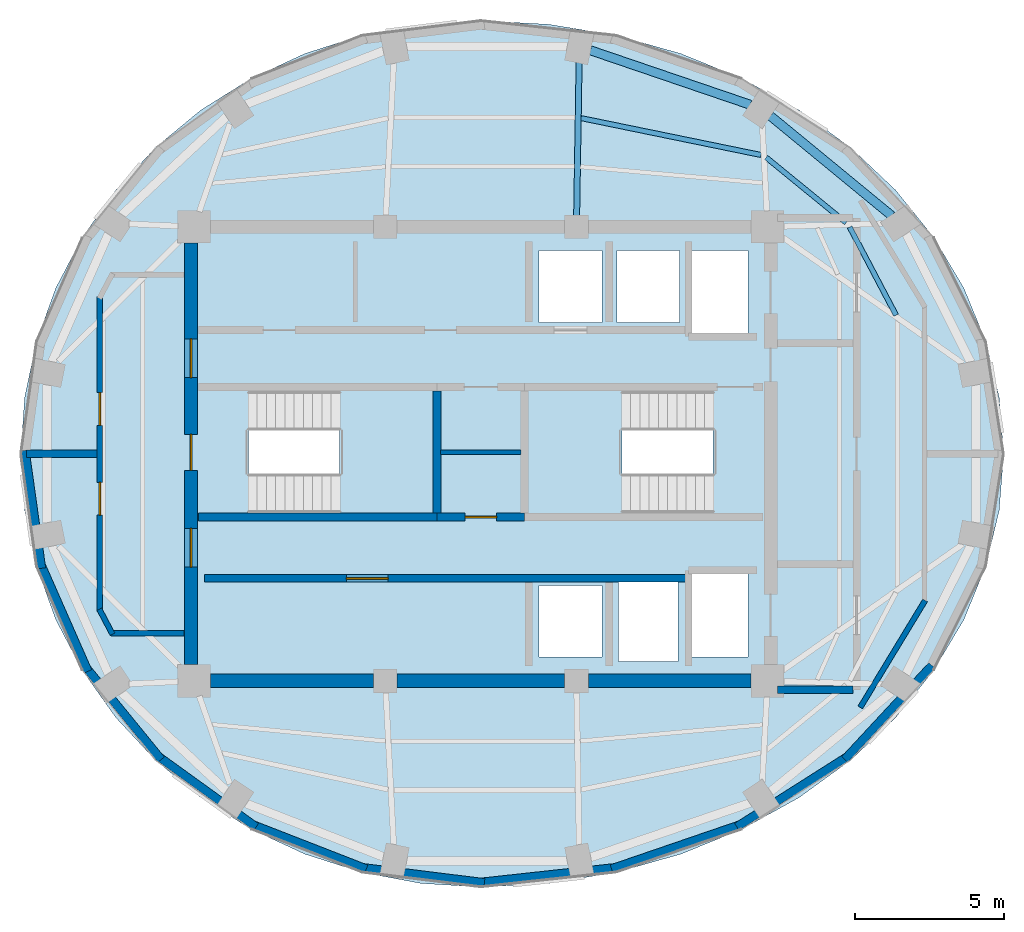
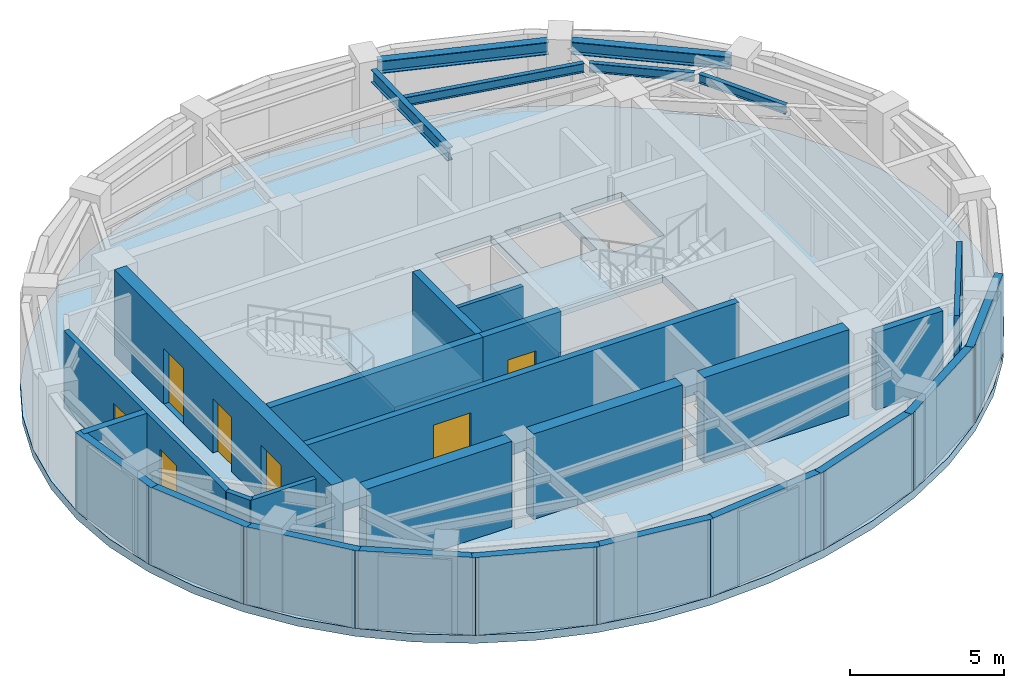
# One storey, part 2 of 5: 25 walls, 7 doors, 6 beams, 3 slabs, 7 openings, 2 elements without a shape of their own.
"""IFC4 building model written with IfcOpenShell, lengths in metres."""

from ifc_helpers import new_model, si_unit, direction, frame, frame_2d, origin, origin_2d, place, context, subcontext, project, spatial, polyline, rectangle, i_section, outline, extrude, material, layer, layer_set, material_profile, profile_set, type_object, element, fill, aggregate, save


model = new_model("IFC4")

# Units and contexts
model_context = context("Model", 3, precision=1e-05, world=origin(), true_north=direction((0.0, 1.0)))
body_context = subcontext(model_context, "Body", "Model", "MODEL_VIEW")
ifc_project = project(units=[si_unit("LENGTHUNIT", "METRE"), si_unit("AREAUNIT", "SQUARE_METRE"), si_unit("VOLUMEUNIT", "CUBIC_METRE"), si_unit("PLANEANGLEUNIT", "RADIAN"), si_unit("MASSUNIT", "GRAM", prefix="KILO")], contexts=[model_context])

# Site, building, storey
site_placement = place(None, origin())
site = spatial("IfcSite", under=ifc_project, at=site_placement, CompositionType="ELEMENT")
building_placement = place(site_placement, origin())
building = spatial("IfcBuilding", under=site, at=building_placement, Name="Lazwardi Medical Tower", CompositionType="ELEMENT")
storey_placement = place(building_placement, frame((0.0, 0.0, 302.447998046875)))
storey = spatial("IfcBuildingStorey", under=building, at=storey_placement, Name="L79", CompositionType="ELEMENT", Elevation=302.447998046875)

# Beams
ifc_material_1 = material(Name="Steel S355", Category="steel")
ifc_material_profile_1 = material_profile(ifc_material_1, i_section(OverallWidth=0.300048828125, OverallDepth=0.5, WebThickness=0.014404296875, FlangeThickness=0.028076171875, at=origin_2d()), Name="HEB 500")
ifc_profile_set_1 = profile_set([ifc_material_profile_1], Name="Steel S355")
beam_type_1 = type_object("IfcBeamType", Name="BM-RB-Z4", PredefinedType="BEAM", material=ifc_profile_set_1)
beam_1_placement = place(storey_placement, frame((49.75048828125, 35.97021484375, 2.818115234375), z_axis=(-0.772320174437, 0.635233459571, 0.0), x_axis=(-0.635233459571, -0.772320174437, 0.0)))
element("IfcBeam", 1, at=beam_1_placement, inside=storey, type_object=beam_type_1, Name="Ring beam RB-05 B06 L79", PredefinedType="BEAM", context=body_context, shape_type="SweptSolid", body=[
    extrude(i_section(OverallWidth=0.300048828125, OverallDepth=0.5, WebThickness=0.014404296875, FlangeThickness=0.028076171875, at=origin_2d()), origin(), (0.0, 0.0, 1.0), 5.25732421875),
])
beam_2_placement = place(storey_placement, frame((45.02001953125, 39.68310546875, 2.818115234375), z_axis=(-0.94657339, 0.322488476296, 0.0), x_axis=(-0.322488476296, -0.94657339, 0.0)))
element("IfcBeam", 2, at=beam_2_placement, inside=storey, type_object=beam_type_1, Name="Ring beam RB-05 B07 L79", PredefinedType="BEAM", context=body_context, shape_type="SweptSolid", body=[
    extrude(i_section(OverallWidth=0.300048828125, OverallDepth=0.5, WebThickness=0.014404296875, FlangeThickness=0.028076171875, at=origin_2d()), origin(), (0.0, 0.0, 1.0), 5.656005859375),
])
ifc_material_profile_2 = material_profile(ifc_material_1, i_section(OverallWidth=0.199951171875, OverallDepth=0.5, WebThickness=0.01025390625, FlangeThickness=0.01611328125, at=origin_2d()), Name="IPE 500")
ifc_profile_set_2 = profile_set([ifc_material_profile_2], Name="Steel S355")
beam_type_2 = type_object("IfcBeamType", Name="BM-RG-W3", PredefinedType="BEAM", material=ifc_profile_set_2)
beam_3_placement = place(storey_placement, frame((39.288330078125, 41.097900390625, 2.818115234375), z_axis=(-0.016042248199, -0.999871314856, 0.0), x_axis=(0.999871314856, -0.016042248199, 0.0)))
element("IfcBeam", 3, at=beam_3_placement, inside=storey, type_object=beam_type_2, Name="Radial girder RG-04 R08 L79", PredefinedType="BEAM", context=body_context, shape_type="SweptSolid", body=[
    extrude(i_section(OverallWidth=0.199951171875, OverallDepth=0.5, WebThickness=0.01025390625, FlangeThickness=0.01611328125, at=origin_2d()), origin(), (0.0, 0.0, 1.0), 5.113525390625),
])
ifc_material_profile_3 = material_profile(ifc_material_1, i_section(OverallWidth=0.169921875, OverallDepth=0.360107421875, WebThickness=0.008056640625, FlangeThickness=0.0126953125, at=origin_2d()), Name="IPE 360")
ifc_profile_set_3 = profile_set([ifc_material_profile_3], Name="Steel S355")
beam_type_3 = type_object("IfcBeamType", Name="BM-SJ-02", PredefinedType="JOIST", material=ifc_profile_set_3)
beam_4_placement = place(storey_placement, frame((49.897216796875, 32.6416015625, 2.887939453125), z_axis=(-0.466129832602, 0.884716326942, 0.0), x_axis=(-0.884716326942, -0.466129832602, 0.0)))
element("IfcBeam", 4, at=beam_4_placement, inside=storey, type_object=beam_type_3, Name="Secondary joist SJ-02 R1 B05 L79", PredefinedType="JOIST", context=body_context, shape_type="SweptSolid", body=[
    extrude(i_section(OverallWidth=0.169921875, OverallDepth=0.360107421875, WebThickness=0.008056640625, FlangeThickness=0.0126953125, at=origin_2d()), origin(), (0.0, 0.0, 1.0), 3.332763671875),
])
beam_5_placement = place(storey_placement, frame((48.225830078125, 35.734375, 2.887939453125), z_axis=(-0.774431855027, 0.632657333727, 0.0), x_axis=(-0.632657333727, -0.774431855027, 0.0)))
element("IfcBeam", 5, at=beam_5_placement, inside=storey, type_object=beam_type_3, Name="Secondary joist SJ-02 R1 B06 L79", PredefinedType="JOIST", context=body_context, shape_type="SweptSolid", body=[
    extrude(i_section(OverallWidth=0.169921875, OverallDepth=0.360107421875, WebThickness=0.008056640625, FlangeThickness=0.0126953125, at=origin_2d()), origin(), (0.0, 0.0, 1.0), 3.45947265625),
])
beam_6_placement = place(storey_placement, frame((45.3798828125, 38.002197265625, 2.887939453125), z_axis=(-0.979616916129, 0.200874830763, 0.0), x_axis=(-0.200874830763, -0.979616916129, 0.0)))
element("IfcBeam", 6, at=beam_6_placement, inside=storey, type_object=beam_type_3, Name="Secondary joist SJ-02 R1 B07 L79", PredefinedType="JOIST", context=body_context, shape_type="SweptSolid", body=[
    extrude(i_section(OverallWidth=0.169921875, OverallDepth=0.360107421875, WebThickness=0.008056640625, FlangeThickness=0.0126953125, at=origin_2d()), origin(), (0.0, 0.0, 1.0), 6.153564453125),
])

# Stair, slab
ifc_material_2 = material(Name="Concrete C45/55", Category="concrete")
stair_type = type_object("IfcStairType", Name="STR-CRN", PredefinedType="HALF_TURN_STAIR", material=ifc_material_2)
stair_1_placement = place(storey_placement, origin())
stair_1 = element("IfcStair", 7, at=stair_1_placement, inside=storey, type_object=stair_type, Name="L79 Protected Exit Stair ST1", PredefinedType="HALF_TURN_STAIR")
ifc_layer_1 = layer(ifc_material_2, 0.199951171875)
ifc_layer_set_1 = layer_set([ifc_layer_1], Name="Concrete C45/55")
slab_type_1 = type_object("IfcSlabType", Name="SLB-LND-190", PredefinedType="LANDING", material=ifc_layer_set_1)
slab_1_placement = place(storey_placement, frame((0.0, 0.0, 1.493896484375)))
slab_1 = element("IfcSlab", 8, at=slab_1_placement, type_object=slab_type_1, Name="ST1 landing 1", PredefinedType="LANDING", context=body_context, shape_type="SweptSolid", body=[
    extrude(outline(polyline([(31.27490234375, 25.840087890625), (34.580078125, 25.840087890625), (34.580078125, 30.280029296875), (31.27490234375, 30.280029296875), (31.27490234375, 25.840087890625)])), origin(), (0.0, 0.0, 1.0), 0.2001953125),
])
aggregate(stair_1, [slab_1])

stair_2_placement = place(storey_placement, origin())
stair_2 = element("IfcStair", 9, at=stair_2_placement, inside=storey, type_object=stair_type, Name="L79 Protected Exit Stair ST2", PredefinedType="HALF_TURN_STAIR")
slab_2_placement = place(storey_placement, frame((0.0, 0.0, 1.493896484375)))
slab_2 = element("IfcSlab", 10, at=slab_2_placement, type_object=slab_type_1, Name="ST2 landing 1", PredefinedType="LANDING", context=body_context, shape_type="SweptSolid", body=[
    extrude(outline(polyline([(40.72509765625, 30.280029296875), (37.419921875, 30.280029296875), (37.419921875, 25.840087890625), (40.72509765625, 25.840087890625), (40.72509765625, 30.280029296875)])), origin(), (0.0, 0.0, 1.0), 0.2001953125),
])
aggregate(stair_2, [slab_2])

# Slab
ifc_material_3 = material(Name="Concrete C50/60", Category="concrete")
ifc_layer_2 = layer(ifc_material_3, 0.320068359375)
ifc_layer_set_2 = layer_set([ifc_layer_2], Name="Concrete C50/60")
slab_type_2 = type_object("IfcSlabType", Name="SLB-PLT-320", PredefinedType="FLOOR", material=ifc_layer_set_2)
slab_3_placement = place(storey_placement, frame((0.0, 0.0, -0.320068359375)))
element("IfcSlab", 11, at=slab_3_placement, inside=storey, type_object=slab_type_2, Name="Structural floor slab SF-05 L79", PredefinedType="FLOOR", context=body_context, shape_type="SweptSolid", body=[
    extrude(outline(polyline([(23.782470703125, 19.173095703125), (25.110595703125, 17.7470703125), (26.625, 16.496337890625), (28.300048828125, 15.442626953125), (30.106689453125, 14.603759765625), (32.01416015625, 13.994140625), (33.989990234375, 13.6240234375), (36.0, 13.5), (38.2841796875, 13.6240234375), (40.529296875, 13.994140625), (42.697021484375, 14.603759765625), (44.75, 15.442626953125), (46.6533203125, 16.496337890625), (48.37451171875, 17.7470703125), (49.8837890625, 19.173095703125), (51.155517578125, 20.75), (52.16796875, 22.451171875), (52.90380859375, 24.2470703125), (53.350341796875, 26.107421875), (53.5, 28.0), (53.350341796875, 29.892578125), (52.90380859375, 31.7529296875), (52.16796875, 33.548828125), (51.155517578125, 35.25), (49.8837890625, 36.826904296875), (48.37451171875, 38.2529296875), (46.6533203125, 39.503662109375), (44.75, 40.557373046875), (42.697021484375, 41.396240234375), (40.529296875, 42.005859375), (38.2841796875, 42.3759765625), (36.0, 42.5), (33.989990234375, 42.3759765625), (32.01416015625, 42.005859375), (30.106689453125, 41.396240234375), (28.300048828125, 40.557373046875), (26.625, 39.503662109375), (25.110595703125, 38.2529296875), (23.782470703125, 36.826904296875), (22.6630859375, 35.25), (21.772216796875, 33.548828125), (21.124755859375, 31.7529296875), (20.731689453125, 29.892578125), (20.60009765625, 28.0), (20.731689453125, 26.107421875), (21.124755859375, 24.2470703125), (21.772216796875, 22.451171875), (22.6630859375, 20.75), (23.782470703125, 19.173095703125)]), holes=[polyline([(28.22509765625, 30.10009765625), (34.39990234375, 30.10009765625), (34.39990234375, 26.02001953125), (28.22509765625, 26.02001953125), (28.22509765625, 30.10009765625)]), polyline([(43.77490234375, 30.10009765625), (43.77490234375, 26.02001953125), (37.60009765625, 26.02001953125), (37.60009765625, 30.10009765625), (43.77490234375, 30.10009765625)]), polyline([(40.050048828125, 32.39990234375), (37.949951171875, 32.39990234375), (37.949951171875, 34.800048828125), (40.050048828125, 34.800048828125), (40.050048828125, 32.39990234375)]), polyline([(40.550048828125, 32.39990234375), (40.550048828125, 34.800048828125), (42.64990234375, 34.800048828125), (42.64990234375, 32.39990234375), (40.550048828125, 32.39990234375)]), polyline([(37.949951171875, 23.60009765625), (40.050048828125, 23.60009765625), (40.050048828125, 21.199951171875), (37.949951171875, 21.199951171875), (37.949951171875, 23.60009765625)]), polyline([(44.949951171875, 34.800048828125), (44.949951171875, 32.0), (43.050048828125, 32.0), (43.050048828125, 34.800048828125), (44.949951171875, 34.800048828125)]), polyline([(44.949951171875, 21.199951171875), (43.050048828125, 21.199951171875), (43.050048828125, 24.0), (44.949951171875, 24.0), (44.949951171875, 21.199951171875)]), polyline([(40.60009765625, 21.050048828125), (40.60009765625, 23.75), (42.60009765625, 23.75), (42.60009765625, 21.050048828125), (40.60009765625, 21.050048828125)])]), origin(), (0.0, 0.0, 1.0), 0.320068359375),
])

# Walls
ifc_material_4 = material(Name="Fire-rated gypsum board on steel stud", Category="steel")
ifc_layer_3 = layer(ifc_material_4, 0.179931640625)
ifc_layer_set_3 = layer_set([ifc_layer_3], Name="Fire-rated gypsum board on steel stud")
wall_type_1 = type_object("IfcWallType", Name="WL-COR-180", PredefinedType="PARTITIONING", material=ifc_layer_set_3)
wall_1_placement = place(storey_placement, frame((50.87060546875, 23.09521484375, 0.0), z_axis=(0.0, 0.0, 1.0), x_axis=(-0.518614420457, -0.855008235571, 0.0)))
element("IfcWall", 12, at=wall_1_placement, inside=storey, type_object=wall_type_1, Name="L79 Corridor partition 3", PredefinedType="PARTITIONING", context=body_context, shape_type="SweptSolid", body=[
    extrude(rectangle(XDim=4.18701171875, YDim=0.179931640625, at=frame_2d((2.093505859375, 0.0))), origin(), (0.0, 0.0, 1.0), 3.068115234375),
])
wall_2_placement = place(storey_placement, frame((26.06005859375, 22.0, 0.0), z_axis=(0.0, 0.0, 1.0), x_axis=(-1.0, 0.0, 0.0)))
element("IfcWall", 13, at=wall_2_placement, inside=storey, type_object=wall_type_1, Name="L79 Corridor partition 4", PredefinedType="PARTITIONING", context=body_context, shape_type="SweptSolid", body=[
    extrude(rectangle(XDim=2.446533203125, YDim=0.179931640625, at=frame_2d((1.22314453125, 0.0))), origin(), (0.0, 0.0, 1.0), 3.068115234375),
])
wall_3_placement = place(storey_placement, frame((23.672119140625, 21.964599609375, 0.0), z_axis=(0.0, 0.0, 1.0), x_axis=(-0.466427533163, 0.884559413667, 0.0)))
element("IfcWall", 14, at=wall_3_placement, inside=storey, type_object=wall_type_1, Name="L79 Corridor partition 5", PredefinedType="PARTITIONING", context=body_context, shape_type="SweptSolid", body=[
    extrude(rectangle(XDim=0.9453125, YDim=0.179931640625, at=frame_2d((0.47265625, 0.0))), origin(), (0.0, 0.0, 1.0), 3.068115234375),
])

# Wall, openings, doors
wall_4_placement = place(storey_placement, frame((23.25, 22.725341796875, 0.0), z_axis=(0.0, 0.0, 1.0), x_axis=(0.0, 1.0, 0.0)))
wall_4 = element("IfcWall", 15, at=wall_4_placement, inside=storey, type_object=wall_type_1, Name="L79 Corridor partition 6", PredefinedType="PARTITIONING", context=body_context, shape_type="SweptSolid", body=[
    extrude(rectangle(XDim=10.54931640625, YDim=0.179931640625, at=frame_2d((5.274658203125, 0.0))), origin(), (0.0, 0.0, 1.0), 3.068115234375),
])
opening_1_placement = place(wall_4_placement, frame((3.221435546875, 0.0, 0.0)))
opening_1 = element("IfcOpeningElement", 16, at=opening_1_placement, cuts=wall_4, Name="Opening D-L79-012", PredefinedType="OPENING", context=body_context, shape_type="SweptSolid", body=[
    extrude(rectangle(XDim=1.10009765625, YDim=2.14990234375, at=frame_2d((0.550048828125, 1.074951171875))), frame((0.0, 0.099853515625, 0.0), z_axis=(0.0, -1.0, 0.0), x_axis=(1.0, 0.0, 0.0)), (0.0, 0.0, 1.0), 0.199951171875),
])
opening_2_placement = place(wall_4_placement, frame((6.22802734375, 0.0, 0.0)))
opening_2 = element("IfcOpeningElement", 17, at=opening_2_placement, cuts=wall_4, Name="Opening D-L79-013", PredefinedType="OPENING", context=body_context, shape_type="SweptSolid", body=[
    extrude(rectangle(XDim=1.10009765625, YDim=2.14990234375, at=frame_2d((0.550048828125, 1.074951171875))), frame((0.0, 0.099853515625, 0.0), z_axis=(0.0, -1.0, 0.0), x_axis=(1.0, 0.0, 0.0)), (0.0, 0.0, 1.0), 0.199951171875),
])
ifc_material_5 = material(Name="Fire-rated steel leaf and frame", Category="steel")
door_type_1 = type_object("IfcDoorType", Name="DR-PLT-1100", OperationType="NOTDEFINED", PredefinedType="DOOR", material=ifc_material_5)
door_1_placement = place(opening_1_placement, origin())
door_1 = element("IfcDoor", 18, at=door_1_placement, inside=storey, type_object=door_type_1, Name="L79 Chiller Plant Room Door 01", OperationType="SINGLE_SWING_RIGHT", OverallHeight=2.14990234375, OverallWidth=1.10009765625, PredefinedType="DOOR", context=body_context, shape_type="SweptSolid", body=[
    extrude(rectangle(XDim=1.10009765625, YDim=2.14990234375, at=frame_2d((0.550048828125, 1.074951171875))), frame((0.0, 0.02490234375, 0.0), z_axis=(0.0, -1.0, 0.0), x_axis=(1.0, 0.0, 0.0)), (0.0, 0.0, 1.0), 0.050048828125),
])
fill(opening_1, door_1)
door_2_placement = place(opening_2_placement, origin())
door_2 = element("IfcDoor", 19, at=door_2_placement, inside=storey, type_object=door_type_1, Name="L79 AHU Plant Room Door 02", OperationType="SINGLE_SWING_LEFT", OverallHeight=2.14990234375, OverallWidth=1.10009765625, PredefinedType="DOOR", context=body_context, shape_type="SweptSolid", body=[
    extrude(rectangle(XDim=1.10009765625, YDim=2.14990234375, at=frame_2d((0.550048828125, 1.074951171875))), frame((0.0, 0.02490234375, 0.0), z_axis=(0.0, -1.0, 0.0), x_axis=(1.0, 0.0, 0.0)), (0.0, 0.0, 1.0), 0.050048828125),
])
fill(opening_2, door_2)

ifc_material_6 = material(Name="Concrete C60/75", Category="concrete")
ifc_layer_4 = layer(ifc_material_6, 0.449951171875)
ifc_layer_set_4 = layer_set([ifc_layer_4], Name="Concrete C60/75")
wall_type_2 = type_object("IfcWallType", Name="WL-CORE-450", PredefinedType="SHEAR", material=ifc_layer_set_4)
wall_5_placement = place(storey_placement, frame((26.300048828125, 20.949951171875, 0.0), z_axis=(0.0, 0.0, 1.0), x_axis=(0.0, 1.0, 0.0)))
wall_5 = element("IfcWall", 20, at=wall_5_placement, inside=storey, type_object=wall_type_2, Name="Core wall CW-S4 west L79", PredefinedType="SHEAR", context=body_context, shape_type="SweptSolid", body=[
    extrude(rectangle(XDim=14.10009765625, YDim=0.449951171875, at=frame_2d((7.050048828125, 0.0))), origin(), (0.0, 0.0, 1.0), 3.387939453125),
])
opening_3_placement = place(wall_5_placement, frame((6.5, 0.0, 0.0)))
opening_3 = element("IfcOpeningElement", 21, at=opening_3_placement, cuts=wall_5, Name="Opening D-L79-014", PredefinedType="OPENING", context=body_context, shape_type="SweptSolid", body=[
    extrude(rectangle(XDim=1.199951171875, YDim=2.14990234375, at=frame_2d((0.60009765625, 1.074951171875))), frame((0.0, 0.23486328125, 0.0), z_axis=(0.0, -1.0, 0.0), x_axis=(1.0, 0.0, 0.0)), (0.0, 0.0, 1.0), 0.469970703125),
])
opening_4_placement = place(wall_5_placement, frame((9.60009765625, 0.0, 0.0)))
opening_4 = element("IfcOpeningElement", 22, at=opening_4_placement, cuts=wall_5, Name="Opening D-L79-010", PredefinedType="OPENING", context=body_context, shape_type="SweptSolid", body=[
    extrude(rectangle(XDim=1.300048828125, YDim=2.199951171875, at=frame_2d((0.64990234375, 1.10009765625))), frame((0.0, 0.23486328125, 0.0), z_axis=(0.0, -1.0, 0.0), x_axis=(1.0, 0.0, 0.0)), (0.0, 0.0, 1.0), 0.469970703125),
])
opening_5_placement = place(wall_5_placement, frame((3.260009765625, 0.0, 0.0)))
opening_5 = element("IfcOpeningElement", 23, at=opening_5_placement, cuts=wall_5, Name="Opening D-L79-011", PredefinedType="OPENING", context=body_context, shape_type="SweptSolid", body=[
    extrude(rectangle(XDim=1.300048828125, YDim=2.199951171875, at=frame_2d((0.64990234375, 1.10009765625))), frame((0.0, 0.23486328125, 0.0), z_axis=(0.0, -1.0, 0.0), x_axis=(1.0, 0.0, 0.0)), (0.0, 0.0, 1.0), 0.469970703125),
])
door_type_2 = type_object("IfcDoorType", Name="DR-FFL-1300", OperationType="NOTDEFINED", PredefinedType="DOOR", material=ifc_material_5)
door_3_placement = place(opening_4_placement, origin())
door_3 = element("IfcDoor", 24, at=door_3_placement, inside=storey, type_object=door_type_2, Name="L79 North Lift Lobby Door", OperationType="SINGLE_SWING_LEFT", OverallHeight=2.199951171875, OverallWidth=1.300048828125, PredefinedType="DOOR", context=body_context, shape_type="SweptSolid", body=[
    extrude(rectangle(XDim=1.300048828125, YDim=2.199951171875, at=frame_2d((0.64990234375, 1.10009765625))), frame((0.0, 0.02490234375, 0.0), z_axis=(0.0, -1.0, 0.0), x_axis=(1.0, 0.0, 0.0)), (0.0, 0.0, 1.0), 0.050048828125),
])
fill(opening_4, door_3)
door_4_placement = place(opening_5_placement, origin())
door_4 = element("IfcDoor", 25, at=door_4_placement, inside=storey, type_object=door_type_2, Name="L79 South Lift Lobby Door", OperationType="SINGLE_SWING_RIGHT", OverallHeight=2.199951171875, OverallWidth=1.300048828125, PredefinedType="DOOR", context=body_context, shape_type="SweptSolid", body=[
    extrude(rectangle(XDim=1.300048828125, YDim=2.199951171875, at=frame_2d((0.64990234375, 1.10009765625))), frame((0.0, 0.02490234375, 0.0), z_axis=(0.0, -1.0, 0.0), x_axis=(1.0, 0.0, 0.0)), (0.0, 0.0, 1.0), 0.050048828125),
])
fill(opening_5, door_4)
door_type_3 = type_object("IfcDoorType", Name="DR-STR-1200", OperationType="NOTDEFINED", PredefinedType="DOOR", material=ifc_material_5)
door_5_placement = place(opening_3_placement, origin())
door_5 = element("IfcDoor", 26, at=door_5_placement, inside=storey, type_object=door_type_3, Name="L79 Exit Stair ST1 Door", OperationType="SINGLE_SWING_LEFT", OverallHeight=2.14990234375, OverallWidth=1.199951171875, PredefinedType="DOOR", context=body_context, shape_type="SweptSolid", body=[
    extrude(rectangle(XDim=1.199951171875, YDim=2.14990234375, at=frame_2d((0.60009765625, 1.074951171875))), frame((0.0, 0.02490234375, 0.0), z_axis=(0.0, -1.0, 0.0), x_axis=(1.0, 0.0, 0.0)), (0.0, 0.0, 1.0), 0.050048828125),
])
fill(opening_3, door_5)

# Walls
wall_6_placement = place(storey_placement, frame((26.949951171875, 20.39990234375, 0.0), z_axis=(0.0, 0.0, 1.0), x_axis=(1.0, 0.0, 0.0)))
element("IfcWall", 27, at=wall_6_placement, inside=storey, type_object=wall_type_2, Name="Core wall CW-S4 S1 L79", PredefinedType="SHEAR", context=body_context, shape_type="SweptSolid", body=[
    extrude(rectangle(XDim=5.449951171875, YDim=0.449951171875, at=frame_2d((2.72509765625, 0.0))), origin(), (0.0, 0.0, 1.0), 3.387939453125),
])
wall_7_placement = place(storey_placement, frame((33.199951171875, 20.39990234375, 0.0), z_axis=(0.0, 0.0, 1.0), x_axis=(1.0, 0.0, 0.0)))
element("IfcWall", 28, at=wall_7_placement, inside=storey, type_object=wall_type_2, Name="Core wall CW-S4 S2 L79", PredefinedType="SHEAR", context=body_context, shape_type="SweptSolid", body=[
    extrude(rectangle(XDim=5.60009765625, YDim=0.449951171875, at=frame_2d((2.800048828125, 0.0))), origin(), (0.0, 0.0, 1.0), 3.387939453125),
])
wall_8_placement = place(storey_placement, frame((39.60009765625, 20.39990234375, 0.0), z_axis=(0.0, 0.0, 1.0), x_axis=(1.0, 0.0, 0.0)))
element("IfcWall", 29, at=wall_8_placement, inside=storey, type_object=wall_type_2, Name="Core wall CW-S4 S3 L79", PredefinedType="SHEAR", context=body_context, shape_type="SweptSolid", body=[
    extrude(rectangle(XDim=5.449951171875, YDim=0.449951171875, at=frame_2d((2.72509765625, 0.0))), origin(), (0.0, 0.0, 1.0), 3.387939453125),
])
ifc_material_7 = material(Name="Precast concrete C45/55", Category="concrete")
ifc_layer_5 = layer(ifc_material_7, 0.280029296875)
ifc_layer_set_5 = layer_set([ifc_layer_5], Name="Precast concrete C45/55")
wall_type_3 = type_object("IfcWallType", Name="WL-DRUM-280", PredefinedType="SOLIDWALL", material=ifc_layer_set_5)
wall_9_placement = place(storey_placement, frame((35.880615234375, 13.64697265625, 0.0), z_axis=(0.0, 0.0, 1.0), x_axis=(0.994124299368, 0.108244525985, 0.0)))
element("IfcWall", 30, at=wall_9_placement, inside=storey, type_object=wall_type_3, Name="L79 Crown Plant Drum Wall 01", PredefinedType="SOLIDWALL", context=body_context, shape_type="SweptSolid", body=[
    extrude(rectangle(XDim=4.75439453125, YDim=0.280029296875, at=frame_2d((2.377197265625, 0.0))), origin(), (0.0, 0.0, 1.0), 3.068115234375),
])
wall_10_placement = place(storey_placement, frame((40.37451171875, 14.109619140625, 0.0), z_axis=(0.0, 0.0, 1.0), x_axis=(0.946020767408, 0.324106012955, 0.0)))
element("IfcWall", 31, at=wall_10_placement, inside=storey, type_object=wall_type_3, Name="L79 Crown Plant Drum Wall 02", PredefinedType="SOLIDWALL", context=body_context, shape_type="SweptSolid", body=[
    extrude(rectangle(XDim=4.660400390625, YDim=0.280029296875, at=frame_2d((2.330078125, 0.0))), origin(), (0.0, 0.0, 1.0), 3.068115234375),
])
wall_11_placement = place(storey_placement, frame((44.568603515625, 15.516845703125, 0.0), z_axis=(0.0, 0.0, 1.0), x_axis=(0.84435210997, 0.535788684454, 0.0)))
element("IfcWall", 32, at=wall_11_placement, inside=storey, type_object=wall_type_3, Name="L79 Crown Plant Drum Wall 03", PredefinedType="SOLIDWALL", context=body_context, shape_type="SweptSolid", body=[
    extrude(rectangle(XDim=4.493408203125, YDim=0.280029296875, at=frame_2d((2.24658203125, 0.0))), origin(), (0.0, 0.0, 1.0), 3.068115234375),
])
wall_12_placement = place(storey_placement, frame((48.1796875, 17.772216796875, 0.0), z_axis=(0.0, 0.0, 1.0), x_axis=(0.680156447476, 0.733066986678, 0.0)))
element("IfcWall", 33, at=wall_12_placement, inside=storey, type_object=wall_type_3, Name="L79 Crown Plant Drum Wall 04", PredefinedType="SOLIDWALL", context=body_context, shape_type="SweptSolid", body=[
    extrude(rectangle(XDim=4.291259765625, YDim=0.280029296875, at=frame_2d((2.1455078125, 0.0))), origin(), (0.0, 0.0, 1.0), 3.068115234375),
])
wall_13_placement = place(storey_placement, frame((20.743408203125, 28.118896484375, 0.0), z_axis=(0.0, 0.0, 1.0), x_axis=(0.13854936703, -0.990355528533, 0.0)))
element("IfcWall", 34, at=wall_13_placement, inside=storey, type_object=wall_type_3, Name="L79 Crown Plant Drum Wall 19", PredefinedType="SOLIDWALL", context=body_context, shape_type="SweptSolid", body=[
    extrude(rectangle(XDim=3.98779296875, YDim=0.280029296875, at=frame_2d((1.993896484375, 0.0))), origin(), (0.0, 0.0, 1.0), 3.068115234375),
])
wall_14_placement = place(storey_placement, frame((21.23095703125, 24.398193359375, 0.0), z_axis=(0.0, 0.0, 1.0), x_axis=(0.402911662576, -0.915238871639, 0.0)))
element("IfcWall", 35, at=wall_14_placement, inside=storey, type_object=wall_type_3, Name="L79 Crown Plant Drum Wall 20", PredefinedType="SOLIDWALL", context=body_context, shape_type="SweptSolid", body=[
    extrude(rectangle(XDim=4.0185546875, YDim=0.280029296875, at=frame_2d((2.00927734375, 0.0))), origin(), (0.0, 0.0, 1.0), 3.068115234375),
])
wall_15_placement = place(storey_placement, frame((22.72607421875, 20.923095703125, 0.0), z_axis=(0.0, 0.0, 1.0), x_axis=(0.631957150792, -0.775003328743, 0.0)))
element("IfcWall", 36, at=wall_15_placement, inside=storey, type_object=wall_type_3, Name="L79 Crown Plant Drum Wall 21", PredefinedType="SOLIDWALL", context=body_context, shape_type="SweptSolid", body=[
    extrude(rectangle(XDim=4.072265625, YDim=0.280029296875, at=frame_2d((2.0361328125, 0.0))), origin(), (0.0, 0.0, 1.0), 3.068115234375),
])
wall_16_placement = place(storey_placement, frame((25.12646484375, 17.930419921875, 0.0), z_axis=(0.0, 0.0, 1.0), x_axis=(0.810749316968, -0.585393495895, 0.0)))
element("IfcWall", 37, at=wall_16_placement, inside=storey, type_object=wall_type_3, Name="L79 Crown Plant Drum Wall 22", PredefinedType="SOLIDWALL", context=body_context, shape_type="SweptSolid", body=[
    extrude(rectangle(XDim=4.133056640625, YDim=0.280029296875, at=frame_2d((2.06640625, 0.0))), origin(), (0.0, 0.0, 1.0), 3.068115234375),
])
wall_17_placement = place(storey_placement, frame((28.268310546875, 15.624755859375, 0.0), z_axis=(0.0, 0.0, 1.0), x_axis=(0.931727407844, -0.363158419249, 0.0)))
element("IfcWall", 38, at=wall_17_placement, inside=storey, type_object=wall_type_3, Name="L79 Crown Plant Drum Wall 23", PredefinedType="SOLIDWALL", context=body_context, shape_type="SweptSolid", body=[
    extrude(rectangle(XDim=4.184814453125, YDim=0.280029296875, at=frame_2d((2.09228515625, 0.0))), origin(), (0.0, 0.0, 1.0), 3.068115234375),
])
wall_18_placement = place(storey_placement, frame((31.9365234375, 14.163330078125, 0.0), z_axis=(0.0, 0.0, 1.0), x_axis=(0.992416279723, -0.122922446041, 0.0)))
element("IfcWall", 39, at=wall_18_placement, inside=storey, type_object=wall_type_3, Name="L79 Crown Plant Drum Wall 24", PredefinedType="SOLIDWALL", context=body_context, shape_type="SweptSolid", body=[
    extrude(rectangle(XDim=4.214599609375, YDim=0.280029296875, at=frame_2d((2.107421875, 0.0))), origin(), (0.0, 0.0, 1.0), 3.068115234375),
])

# Wall, opening, door
ifc_material_8 = material(Name="Autoclaved aerated concrete blockwork", Category="masonry")
ifc_layer_6 = layer(ifc_material_8, 0.25)
ifc_layer_set_6 = layer_set([ifc_layer_6], Name="Autoclaved aerated concrete blockwork")
wall_type_4 = type_object("IfcWallType", Name="WL-SHAFT-250", PredefinedType="SOLIDWALL", material=ifc_layer_set_6)
wall_19_placement = place(storey_placement, frame((26.75, 23.830078125, 0.0), z_axis=(0.0, 0.0, 1.0), x_axis=(1.0, 0.0, 0.0)))
wall_19 = element("IfcWall", 40, at=wall_19_placement, inside=storey, type_object=wall_type_4, Name="L79 South lift bank front wall", PredefinedType="SOLIDWALL", context=body_context, shape_type="SweptSolid", body=[
    extrude(rectangle(XDim=16.199951171875, YDim=0.25, at=frame_2d((8.10009765625, 0.0))), origin(), (0.0, 0.0, 1.0), 3.068115234375),
])
opening_6_placement = place(wall_19_placement, frame((4.75, 0.0, 0.0)))
opening_6 = element("IfcOpeningElement", 41, at=opening_6_placement, cuts=wall_19, Name="Opening D-L79-006", PredefinedType="OPENING", context=body_context, shape_type="SweptSolid", body=[
    extrude(rectangle(XDim=1.39990234375, YDim=2.199951171875, at=frame_2d((0.699951171875, 1.10009765625))), frame((0.0, 0.135009765625, 0.0), z_axis=(0.0, -1.0, 0.0), x_axis=(1.0, 0.0, 0.0)), (0.0, 0.0, 1.0), 0.27001953125),
])
ifc_material_9 = material(Name="Anti-microbial laminate hospital leaf")
door_type_4 = type_object("IfcDoorType", Name="DR-BED-1400", OperationType="NOTDEFINED", PredefinedType="DOOR", material=ifc_material_9)
door_6_placement = place(opening_6_placement, origin())
door_6 = element("IfcDoor", 42, at=door_6_placement, inside=storey, type_object=door_type_4, Name="L79 Core Dialysis Door", OperationType="SINGLE_SWING_LEFT", OverallHeight=2.199951171875, OverallWidth=1.39990234375, PredefinedType="DOOR", context=body_context, shape_type="SweptSolid", body=[
    extrude(rectangle(XDim=1.39990234375, YDim=2.199951171875, at=frame_2d((0.699951171875, 1.10009765625))), frame((0.0, 0.02490234375, 0.0), z_axis=(0.0, -1.0, 0.0), x_axis=(1.0, 0.0, 0.0)), (0.0, 0.0, 1.0), 0.050048828125),
])
fill(opening_6, door_6)

# Walls
wall_20_placement = place(storey_placement, frame((45.929931640625, 20.10009765625, 0.0), z_axis=(0.0, 0.0, 1.0), x_axis=(1.0, 0.0, 0.0)))
element("IfcWall", 43, at=wall_20_placement, inside=storey, type_object=wall_type_4, Name="L79 Crown FFL-S South wall", PredefinedType="SOLIDWALL", context=body_context, shape_type="SweptSolid", body=[
    extrude(rectangle(XDim=2.52001953125, YDim=0.25, at=frame_2d((1.260009765625, 0.0))), origin(), (0.0, 0.0, 1.0), 3.068115234375),
])
wall_21_placement = place(storey_placement, frame((20.794921875, 28.0, 0.0), z_axis=(0.0, 0.0, 1.0), x_axis=(1.0, 0.0, 0.0)))
element("IfcWall", 44, at=wall_21_placement, inside=storey, type_object=wall_type_4, Name="L79 Room partition 1", PredefinedType="SOLIDWALL", context=body_context, shape_type="SweptSolid", body=[
    extrude(rectangle(XDim=2.364990234375, YDim=0.25, at=frame_2d((1.1826171875, 0.0))), origin(), (0.0, 0.0, 1.0), 3.068115234375),
])
ifc_layer_7 = layer(ifc_material_3, 0.27001953125)
ifc_layer_set_7 = layer_set([ifc_layer_7], Name="Concrete C50/60")
wall_type_5 = type_object("IfcWallType", Name="WL-STR-250", PredefinedType="SHEAR", material=ifc_layer_set_7)
wall_22_placement = place(storey_placement, frame((26.550048828125, 25.885009765625, 0.0), z_axis=(0.0, 0.0, 1.0), x_axis=(1.0, 0.0, 0.0)))
element("IfcWall", 45, at=wall_22_placement, inside=storey, type_object=wall_type_5, Name="L79 ST1 South shear shaft wall SW-S1", PredefinedType="SHEAR", context=body_context, shape_type="SweptSolid", body=[
    extrude(rectangle(XDim=7.98486328125, YDim=0.27001953125, at=frame_2d((3.992431640625, 0.0))), origin(), (0.0, 0.0, 1.0), 3.387939453125),
])

# Wall, opening, door
wall_23_placement = place(storey_placement, frame((34.534912109375, 25.885009765625, 0.0), z_axis=(0.0, 0.0, 1.0), x_axis=(1.0, 0.0, 0.0)))
wall_23 = element("IfcWall", 46, at=wall_23_placement, inside=storey, type_object=wall_type_5, Name="L79 Core service South shear wall SW-S1", PredefinedType="SHEAR", context=body_context, shape_type="SweptSolid", body=[
    extrude(rectangle(XDim=2.93017578125, YDim=0.27001953125, at=frame_2d((1.465087890625, 0.0))), origin(), (0.0, 0.0, 1.0), 3.387939453125),
])
opening_7_placement = place(wall_23_placement, frame((0.93994140625, 0.0, 0.0)))
opening_7 = element("IfcOpeningElement", 47, at=opening_7_placement, cuts=wall_23, Name="Opening D-L79-001", PredefinedType="OPENING", context=body_context, shape_type="SweptSolid", body=[
    extrude(rectangle(XDim=1.050048828125, YDim=2.14990234375, at=frame_2d((0.52490234375, 1.074951171875))), frame((0.0, 0.14501953125, 0.0), z_axis=(0.0, -1.0, 0.0), x_axis=(1.0, 0.0, 0.0)), (0.0, 0.0, 1.0), 0.2900390625),
])
door_type_5 = type_object("IfcDoorType", Name="DR-CLN-1050", OperationType="NOTDEFINED", PredefinedType="DOOR", material=ifc_material_9)
door_7_placement = place(opening_7_placement, origin())
door_7 = element("IfcDoor", 48, at=door_7_placement, inside=storey, type_object=door_type_5, Name="L79 Dirty Sluice Door", OperationType="SINGLE_SWING_LEFT", OverallHeight=2.14990234375, OverallWidth=1.050048828125, PredefinedType="DOOR", context=body_context, shape_type="SweptSolid", body=[
    extrude(rectangle(XDim=1.050048828125, YDim=2.14990234375, at=frame_2d((0.52490234375, 1.074951171875))), frame((0.0, 0.02490234375, 0.0), z_axis=(0.0, -1.0, 0.0), x_axis=(1.0, 0.0, 0.0)), (0.0, 0.0, 1.0), 0.050048828125),
])
fill(opening_7, door_7)

# Walls
wall_24_placement = place(storey_placement, frame((34.534912109375, 26.02001953125, 0.0), z_axis=(0.0, 0.0, 1.0), x_axis=(0.0, 1.0, 0.0)))
element("IfcWall", 49, at=wall_24_placement, inside=storey, type_object=wall_type_5, Name="L79 ST1 East shear shaft wall SW-S1", PredefinedType="SHEAR", context=body_context, shape_type="SweptSolid", body=[
    extrude(rectangle(XDim=4.080078125, YDim=0.27001953125, at=frame_2d((2.0400390625, 0.0))), origin(), (0.0, 0.0, 1.0), 3.387939453125),
])
ifc_material_10 = material(Name="Acoustic gypsum board partition")
ifc_layer_8 = layer(ifc_material_10, 0.14990234375)
ifc_layer_set_8 = layer_set([ifc_layer_8], Name="Acoustic gypsum board partition")
wall_type_6 = type_object("IfcWallType", Name="WL-WRD-150", PredefinedType="PARTITIONING", material=ifc_layer_set_8)
wall_25_placement = place(storey_placement, frame((34.64990234375, 28.06005859375, 0.0), z_axis=(0.0, 0.0, 1.0), x_axis=(1.0, 0.0, 0.0)))
element("IfcWall", 50, at=wall_25_placement, inside=storey, type_object=wall_type_6, Name="L79 Core service divider", PredefinedType="PARTITIONING", context=body_context, shape_type="SweptSolid", body=[
    extrude(rectangle(XDim=2.7001953125, YDim=0.14990234375, at=frame_2d((1.35009765625, 0.0))), origin(), (0.0, 0.0, 1.0), 3.068115234375),
])

save(model, "model.ifc")
